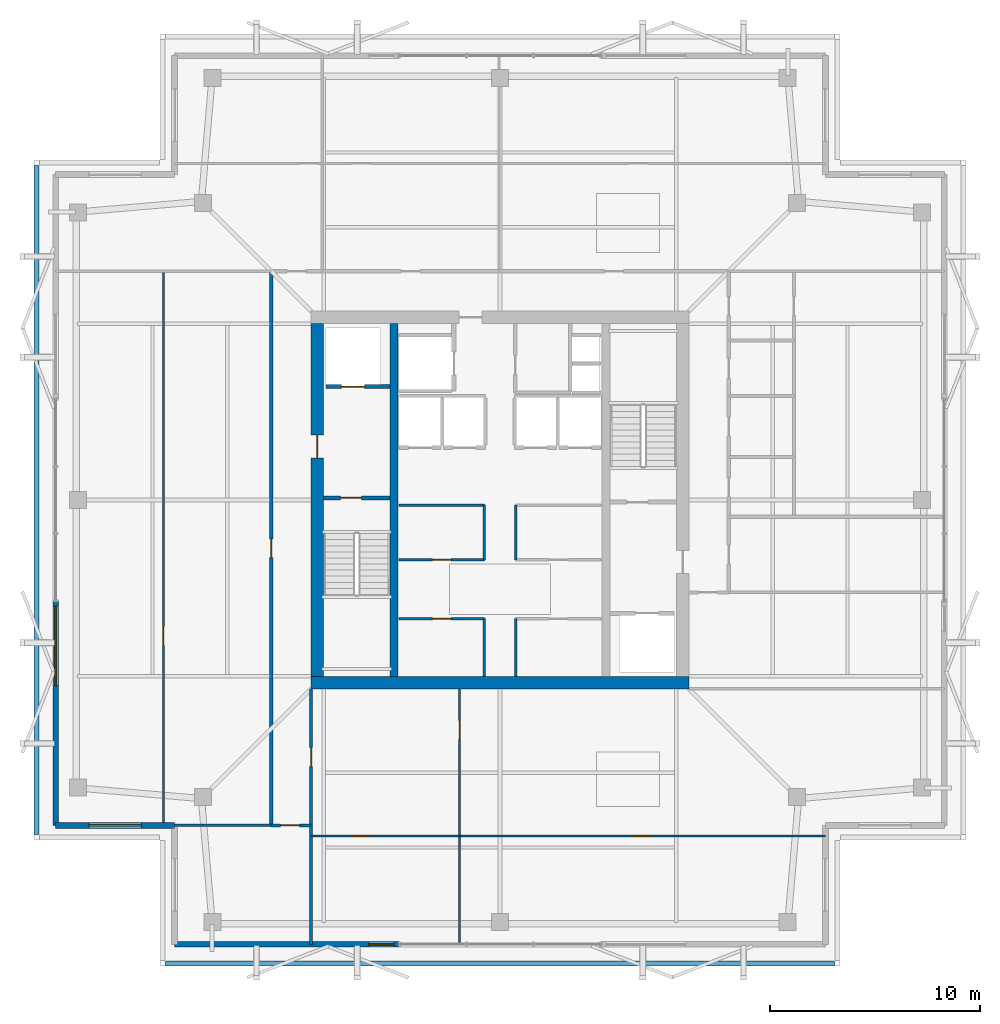
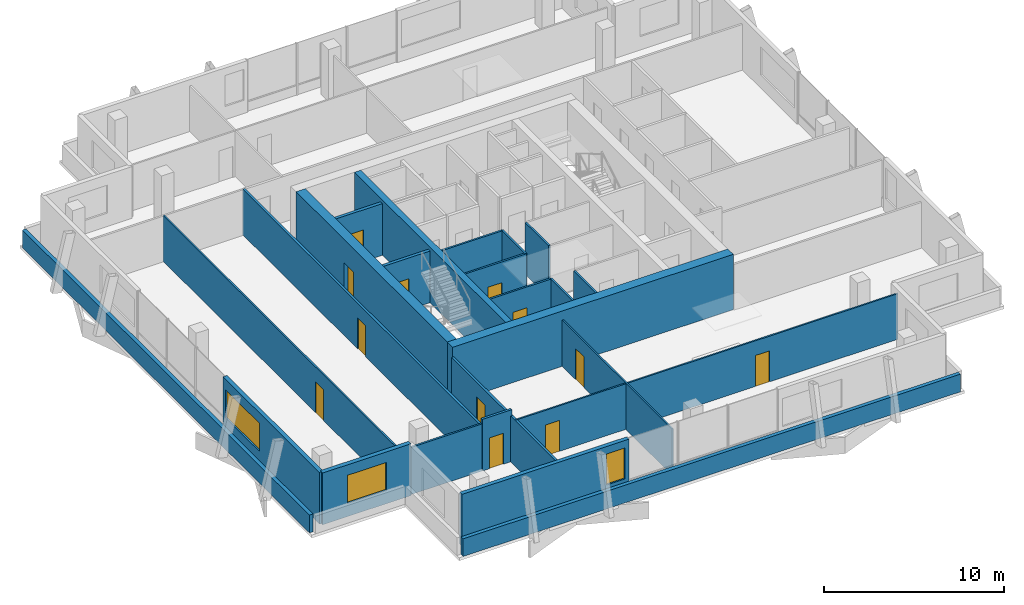
# One storey, part 14 of 18: 25 walls, 12 doors, 3 windows, 15 openings.
"""IFC4 building model written with IfcOpenShell, lengths in metres."""

from ifc_helpers import new_model, si_unit, direction, frame, frame_2d, origin, place, context, subcontext, project, spatial, rectangle, extrude, material, layer, layer_set, type_object, element, fill, save


model = new_model("IFC4")

# Units and contexts
model_context = context("Model", 3, precision=1e-05, world=origin(), true_north=direction((0.0, 1.0)))
body_context = subcontext(model_context, "Body", "Model", "MODEL_VIEW")
ifc_project = project(units=[si_unit("LENGTHUNIT", "METRE"), si_unit("AREAUNIT", "SQUARE_METRE"), si_unit("VOLUMEUNIT", "CUBIC_METRE"), si_unit("PLANEANGLEUNIT", "RADIAN"), si_unit("MASSUNIT", "GRAM", prefix="KILO")], contexts=[model_context])

# Site, building, storey
site_placement = place(None, origin())
site = spatial("IfcSite", under=ifc_project, at=site_placement, CompositionType="ELEMENT")
building_placement = place(site_placement, origin())
building = spatial("IfcBuilding", under=site, at=building_placement, Name="Belovzor Exchange Tower", CompositionType="ELEMENT")
storey_placement = place(building_placement, frame((0.0, 0.0, 344.25)))
storey = spatial("IfcBuildingStorey", under=building, at=storey_placement, Name="L86", CompositionType="ELEMENT", Elevation=344.25)

# Wall
ifc_material_1 = material(Name="Acoustic Plasterboard on Galvanised Studs", Category="gypsum")
ifc_layer_1 = layer(ifc_material_1, 0.1201171875)
ifc_layer_set_1 = layer_set([ifc_layer_1], Name="Acoustic Plasterboard on Galvanised Studs")
wall_type_1 = type_object("IfcWallType", Name="Acoustic Double-Stud Partition Wall 120", PredefinedType="PARTITIONING", material=ifc_layer_set_1)
wall_1_placement = place(storey_placement, frame((13.300048828125, 13.300048828125, 0.0), z_axis=(0.0, 0.0, 1.0), x_axis=(1.0, 0.0, 0.0)))
element("IfcWall", 1, at=wall_1_placement, inside=storey, type_object=wall_type_1, Name="W-P120 Partition Wall W-L86-SWS", PredefinedType="PARTITIONING", context=body_context, shape_type="SweptSolid", body=[
    extrude(rectangle(XDim=4.599853515625, YDim=0.1201171875, at=frame_2d((2.2998046875, 0.0))), origin(), (0.0, 0.0, 1.0), 3.195068359375),
])

# Wall, opening, door
ifc_material_2 = material(Name="Acoustic Laminated Glass and Aluminium", Category="aluminium")
ifc_layer_2 = layer(ifc_material_2, 0.10009765625)
ifc_layer_set_2 = layer_set([ifc_layer_2], Name="Acoustic Laminated Glass and Aluminium")
wall_type_2 = type_object("IfcWallType", Name="Demountable Executive Glass Partition 100", PredefinedType="MOVABLE", material=ifc_layer_set_2)
wall_2_placement = place(storey_placement, frame((12.764892578125, 13.300048828125, 0.0), z_axis=(0.0, 0.0, 1.0), x_axis=(0.0, 1.0, 0.0)))
wall_2 = element("IfcWall", 2, at=wall_2_placement, inside=storey, type_object=wall_type_2, Name="W-M100 Partition Wall W-L86-WHDIV-0", PredefinedType="MOVABLE", context=body_context, shape_type="SweptSolid", body=[
    extrude(rectangle(XDim=26.39990234375, YDim=0.10009765625, at=frame_2d((13.199951171875, 0.0))), origin(), (0.0, 0.0, 1.0), 3.094970703125),
])
opening_1_placement = place(wall_2_placement, frame((8.56689453125, 0.0, 0.0)))
opening_1 = element("IfcOpeningElement", 3, at=opening_1_placement, cuts=wall_2, Name="Opening D-INT-090", PredefinedType="OPENING", context=body_context, shape_type="SweptSolid", body=[
    extrude(rectangle(XDim=0.89990234375, YDim=2.10009765625, at=frame_2d((0.449951171875, 1.050048828125))), frame((0.0, 0.06005859375, 0.0), z_axis=(0.0, -1.0, 0.0), x_axis=(1.0, 0.0, 0.0)), (0.0, 0.0, 1.0), 0.1201171875),
])
ifc_material_3 = material(Name="Veneered Hardwood Acoustic Leaf", Category="wood")
door_type_1 = type_object("IfcDoorType", Name="Trading Suite Acoustic Single Door 900x2100", OperationType="NOTDEFINED", PredefinedType="DOOR", material=ifc_material_3)
door_1_placement = place(opening_1_placement, origin())
door_1 = element("IfcDoor", 4, at=door_1_placement, inside=storey, type_object=door_type_1, Name="D-INT-090 Trading Suite Acoustic Single Door 900x2100", OperationType="SINGLE_SWING_LEFT", OverallHeight=2.10009765625, OverallWidth=0.89990234375, PredefinedType="DOOR", context=body_context, shape_type="SweptSolid", body=[
    extrude(rectangle(XDim=0.89990234375, YDim=2.10009765625, at=frame_2d((0.449951171875, 1.050048828125))), frame((0.0, 0.02490234375, 0.0), z_axis=(0.0, -1.0, 0.0), x_axis=(1.0, 0.0, 0.0)), (0.0, 0.0, 1.0), 0.050048828125),
])
fill(opening_1, door_1)

wall_3_placement = place(storey_placement, frame((19.800048828125, 12.7939453125, 0.0), z_axis=(0.0, 0.0, 1.0), x_axis=(1.0, 0.0, 0.0)))
wall_3 = element("IfcWall", 5, at=wall_3_placement, inside=storey, type_object=wall_type_2, Name="W-M100 Partition Wall W-L86-SHDIV-0", PredefinedType="MOVABLE", context=body_context, shape_type="SweptSolid", body=[
    extrude(rectangle(XDim=7.075927734375, YDim=0.10009765625, at=frame_2d((3.5380859375, 0.0))), origin(), (0.0, 0.0, 1.0), 3.094970703125),
])
opening_2_placement = place(wall_3_placement, frame((1.885009765625, 0.0, 0.0)))
opening_2 = element("IfcOpeningElement", 6, at=opening_2_placement, cuts=wall_3, Name="Opening D-INT-090", PredefinedType="OPENING", context=body_context, shape_type="SweptSolid", body=[
    extrude(rectangle(XDim=0.89990234375, YDim=2.10009765625, at=frame_2d((0.449951171875, 1.050048828125))), frame((0.0, 0.06005859375, 0.0), z_axis=(0.0, -1.0, 0.0), x_axis=(1.0, 0.0, 0.0)), (0.0, 0.0, 1.0), 0.1201171875),
])
door_2_placement = place(opening_2_placement, origin())
door_2 = element("IfcDoor", 7, at=door_2_placement, inside=storey, type_object=door_type_1, Name="D-INT-090 Trading Suite Acoustic Single Door 900x2100", OperationType="SINGLE_SWING_LEFT", OverallHeight=2.10009765625, OverallWidth=0.89990234375, PredefinedType="DOOR", context=body_context, shape_type="SweptSolid", body=[
    extrude(rectangle(XDim=0.89990234375, YDim=2.10009765625, at=frame_2d((0.449951171875, 1.050048828125))), frame((0.0, 0.02490234375, 0.0), z_axis=(0.0, -1.0, 0.0), x_axis=(1.0, 0.0, 0.0)), (0.0, 0.0, 1.0), 0.050048828125),
])
fill(opening_2, door_2)

wall_4_placement = place(storey_placement, frame((26.8759765625, 7.6298828125, 0.0), z_axis=(0.0, 0.0, 1.0), x_axis=(0.0, 1.0, 0.0)))
wall_4 = element("IfcWall", 8, at=wall_4_placement, inside=storey, type_object=wall_type_2, Name="W-M100 Partition Wall W-L86-SDIV-1", PredefinedType="MOVABLE", context=body_context, shape_type="SweptSolid", body=[
    extrude(rectangle(XDim=12.170166015625, YDim=0.10009765625, at=frame_2d((6.0849609375, 0.0))), origin(), (0.0, 0.0, 1.0), 3.135009765625),
])
opening_3_placement = place(wall_4_placement, frame((9.77001953125, 0.0, 0.0)))
opening_3 = element("IfcOpeningElement", 9, at=opening_3_placement, cuts=wall_4, Name="Opening D-INT-090", PredefinedType="OPENING", context=body_context, shape_type="SweptSolid", body=[
    extrude(rectangle(XDim=0.89990234375, YDim=2.10009765625, at=frame_2d((0.449951171875, 1.050048828125))), frame((0.0, 0.06005859375, 0.0), z_axis=(0.0, -1.0, 0.0), x_axis=(1.0, 0.0, 0.0)), (0.0, 0.0, 1.0), 0.1201171875),
])
door_3_placement = place(opening_3_placement, origin())
door_3 = element("IfcDoor", 10, at=door_3_placement, inside=storey, type_object=door_type_1, Name="D-INT-090 Trading Suite Acoustic Single Door 900x2100", OperationType="SINGLE_SWING_LEFT", OverallHeight=2.10009765625, OverallWidth=0.89990234375, PredefinedType="DOOR", context=body_context, shape_type="SweptSolid", body=[
    extrude(rectangle(XDim=0.89990234375, YDim=2.10009765625, at=frame_2d((0.449951171875, 1.050048828125))), frame((0.0, 0.02490234375, 0.0), z_axis=(0.0, -1.0, 0.0), x_axis=(1.0, 0.0, 0.0)), (0.0, 0.0, 1.0), 0.050048828125),
])
fill(opening_3, door_3)

wall_5_placement = place(storey_placement, frame((26.8759765625, 12.7939453125, 0.0), z_axis=(0.0, 0.0, 1.0), x_axis=(1.0, 0.0, 0.0)))
wall_5 = element("IfcWall", 11, at=wall_5_placement, inside=storey, type_object=wall_type_2, Name="W-M100 Partition Wall W-L86-SHDIV-1", PredefinedType="MOVABLE", context=body_context, shape_type="SweptSolid", body=[
    extrude(rectangle(XDim=17.424072265625, YDim=0.10009765625, at=frame_2d((8.7119140625, 0.0))), origin(), (0.0, 0.0, 1.0), 3.094970703125),
])
opening_4_placement = place(wall_5_placement, frame((8.261962890625, 0.0, 0.0)))
opening_4 = element("IfcOpeningElement", 12, at=opening_4_placement, cuts=wall_5, Name="Opening D-INT-090", PredefinedType="OPENING", context=body_context, shape_type="SweptSolid", body=[
    extrude(rectangle(XDim=0.89990234375, YDim=2.10009765625, at=frame_2d((0.449951171875, 1.050048828125))), frame((0.0, 0.06005859375, 0.0), z_axis=(0.0, -1.0, 0.0), x_axis=(1.0, 0.0, 0.0)), (0.0, 0.0, 1.0), 0.1201171875),
])
door_4_placement = place(opening_4_placement, origin())
door_4 = element("IfcDoor", 13, at=door_4_placement, inside=storey, type_object=door_type_1, Name="D-INT-090 Trading Suite Acoustic Single Door 900x2100", OperationType="SINGLE_SWING_LEFT", OverallHeight=2.10009765625, OverallWidth=0.89990234375, PredefinedType="DOOR", context=body_context, shape_type="SweptSolid", body=[
    extrude(rectangle(XDim=0.89990234375, YDim=2.10009765625, at=frame_2d((0.449951171875, 1.050048828125))), frame((0.0, 0.02490234375, 0.0), z_axis=(0.0, -1.0, 0.0), x_axis=(1.0, 0.0, 0.0)), (0.0, 0.0, 1.0), 0.050048828125),
])
fill(opening_4, door_4)

ifc_material_4 = material(Name="Fire-Rated Plasterboard on Galvanised Studs", Category="gypsum")
ifc_layer_3 = layer(ifc_material_4, 0.1201171875)
ifc_layer_set_3 = layer_set([ifc_layer_3], Name="Fire-Rated Plasterboard on Galvanised Studs")
wall_type_3 = type_object("IfcWallType", Name="Fire-Rated Double-Stud Partition Wall 120", PredefinedType="PARTITIONING", material=ifc_layer_set_3)
wall_6_placement = place(storey_placement, frame((24.0, 23.14990234375, 0.0), z_axis=(0.0, 0.0, 1.0), x_axis=(1.0, 0.0, 0.0)))
wall_6 = element("IfcWall", 14, at=wall_6_placement, inside=storey, type_object=wall_type_3, Name="W-P120F Partition Wall W-CRL-L86-WN", PredefinedType="PARTITIONING", context=body_context, shape_type="SweptSolid", body=[
    extrude(rectangle(XDim=4.050048828125, YDim=0.1201171875, at=frame_2d((2.02490234375, 0.0))), origin(), (0.0, 0.0, 1.0), 3.510009765625),
])
opening_5_placement = place(wall_6_placement, frame((1.574951171875, 0.0, 0.0)))
opening_5 = element("IfcOpeningElement", 15, at=opening_5_placement, cuts=wall_6, Name="Opening D-FD60-090", PredefinedType="OPENING", context=body_context, shape_type="SweptSolid", body=[
    extrude(rectangle(XDim=0.89990234375, YDim=2.10009765625, at=frame_2d((0.449951171875, 1.050048828125))), frame((0.0, 0.070068359375, 0.0), z_axis=(0.0, -1.0, 0.0), x_axis=(1.0, 0.0, 0.0)), (0.0, 0.0, 1.0), 0.14013671875),
])
ifc_material_5 = material(Name="Acoustic Timber Fire Leaf", Category="wood")
door_type_2 = type_object("IfcDoorType", Name="Core Service & Restroom Fire Door 900x2100", OperationType="NOTDEFINED", PredefinedType="DOOR", material=ifc_material_5)
door_5_placement = place(opening_5_placement, origin())
door_5 = element("IfcDoor", 16, at=door_5_placement, inside=storey, type_object=door_type_2, Name="D-FD60-090 Core Service & Restroom Fire Door 900x2100", OperationType="SINGLE_SWING_LEFT", OverallHeight=2.10009765625, OverallWidth=0.89990234375, PredefinedType="DOOR", context=body_context, shape_type="SweptSolid", body=[
    extrude(rectangle(XDim=0.89990234375, YDim=2.10009765625, at=frame_2d((0.449951171875, 1.050048828125))), frame((0.0, 0.02490234375, 0.0), z_axis=(0.0, -1.0, 0.0), x_axis=(1.0, 0.0, 0.0)), (0.0, 0.0, 1.0), 0.050048828125),
])
fill(opening_5, door_5)

# Walls
for number, where, z_axis, x_axis, name in (
    (17, (28.050048828125, 20.39990234375, 0.0), (0.0, 0.0, 1.0), (0.0, 1.0, 0.0), "W-P120F Partition Wall W-CRL-L86-WE"),
    (18, (29.550048828125, 20.39990234375, 0.0), (0.0, 0.0, 1.0), (0.0, 1.0, 0.0), "W-P120F Partition Wall W-CRL-L86-EW"),
):
    element("IfcWall", number, at=place(storey_placement, frame(where, z_axis=z_axis, x_axis=x_axis)), inside=storey, type_object=wall_type_3, Name=name, PredefinedType="PARTITIONING", context=body_context, shape_type="SweptSolid", body=[
        extrude(rectangle(XDim=2.75, YDim=0.1201171875, at=frame_2d((1.375, 0.0))), origin(), (0.0, 0.0, 1.0), 3.510009765625),
    ])

# Wall, opening, door
wall_7_placement = place(storey_placement, frame((24.0, 25.949951171875, 0.0), z_axis=(0.0, 0.0, 1.0), x_axis=(1.0, 0.0, 0.0)))
wall_7 = element("IfcWall", 19, at=wall_7_placement, inside=storey, type_object=wall_type_3, Name="W-P120F Partition Wall W-CRM-L86-WS", PredefinedType="PARTITIONING", context=body_context, shape_type="SweptSolid", body=[
    extrude(rectangle(XDim=4.050048828125, YDim=0.1201171875, at=frame_2d((2.02490234375, 0.0))), origin(), (0.0, 0.0, 1.0), 3.510009765625),
])
opening_6_placement = place(wall_7_placement, frame((1.574951171875, 0.0, 0.0)))
opening_6 = element("IfcOpeningElement", 20, at=opening_6_placement, cuts=wall_7, Name="Opening D-FD60-090", PredefinedType="OPENING", context=body_context, shape_type="SweptSolid", body=[
    extrude(rectangle(XDim=0.89990234375, YDim=2.10009765625, at=frame_2d((0.449951171875, 1.050048828125))), frame((0.0, 0.070068359375, 0.0), z_axis=(0.0, -1.0, 0.0), x_axis=(1.0, 0.0, 0.0)), (0.0, 0.0, 1.0), 0.14013671875),
])
door_6_placement = place(opening_6_placement, origin())
door_6 = element("IfcDoor", 21, at=door_6_placement, inside=storey, type_object=door_type_2, Name="D-FD60-090 Core Service & Restroom Fire Door 900x2100", OperationType="SINGLE_SWING_LEFT", OverallHeight=2.10009765625, OverallWidth=0.89990234375, PredefinedType="DOOR", context=body_context, shape_type="SweptSolid", body=[
    extrude(rectangle(XDim=0.89990234375, YDim=2.10009765625, at=frame_2d((0.449951171875, 1.050048828125))), frame((0.0, 0.02490234375, 0.0), z_axis=(0.0, -1.0, 0.0), x_axis=(1.0, 0.0, 0.0)), (0.0, 0.0, 1.0), 0.050048828125),
])
fill(opening_6, door_6)

# Walls
wall_8_placement = place(storey_placement, frame((24.0, 28.550048828125, 0.0), z_axis=(0.0, 0.0, 1.0), x_axis=(1.0, 0.0, 0.0)))
element("IfcWall", 22, at=wall_8_placement, inside=storey, type_object=wall_type_3, Name="W-P120F Partition Wall W-CRM-L86-WN", PredefinedType="PARTITIONING", context=body_context, shape_type="SweptSolid", body=[
    extrude(rectangle(XDim=4.050048828125, YDim=0.1201171875, at=frame_2d((2.02490234375, 0.0))), origin(), (0.0, 0.0, 1.0), 3.510009765625),
])
for number, where, z_axis, x_axis, name in (
    (23, (28.050048828125, 25.949951171875, 0.0), (0.0, 0.0, 1.0), (0.0, 1.0, 0.0), "W-P120F Partition Wall W-CRM-L86-WE"),
    (24, (29.550048828125, 25.949951171875, 0.0), (0.0, 0.0, 1.0), (0.0, 1.0, 0.0), "W-P120F Partition Wall W-CRM-L86-EW"),
):
    element("IfcWall", number, at=place(storey_placement, frame(where, z_axis=z_axis, x_axis=x_axis)), inside=storey, type_object=wall_type_3, Name=name, PredefinedType="PARTITIONING", context=body_context, shape_type="SweptSolid", body=[
        extrude(rectangle(XDim=2.60009765625, YDim=0.1201171875, at=frame_2d((1.300048828125, 0.0))), origin(), (0.0, 0.0, 1.0), 3.510009765625),
    ])

# Wall, opening, door
ifc_material_6 = material(Name="Fire-Rated Gypsum Block and Mineral Wool", Category="gypsum")
ifc_layer_4 = layer(ifc_material_6, 0.14990234375)
ifc_layer_set_4 = layer_set([ifc_layer_4], Name="Fire-Rated Gypsum Block and Mineral Wool")
wall_type_4 = type_object("IfcWallType", Name="Fire-Rated Gypsum Block Corridor Wall 150", PredefinedType="PARTITIONING", material=ifc_layer_set_4)
wall_9_placement = place(storey_placement, frame((17.89990234375, 13.300048828125, 0.0), z_axis=(0.0, 0.0, 1.0), x_axis=(1.0, 0.0, 0.0)))
wall_9 = element("IfcWall", 25, at=wall_9_placement, inside=storey, type_object=wall_type_4, Name="W-P150 Partition Wall W-L86-CW-END", PredefinedType="PARTITIONING", context=body_context, shape_type="SweptSolid", body=[
    extrude(rectangle(XDim=1.900146484375, YDim=0.14990234375, at=frame_2d((0.9501953125, 0.0))), origin(), (0.0, 0.0, 1.0), 3.510009765625),
])
opening_7_placement = place(wall_9_placement, frame((0.449951171875, 0.0, 0.0)))
opening_7 = element("IfcOpeningElement", 26, at=opening_7_placement, cuts=wall_9, Name="Opening D-FD60-090", PredefinedType="OPENING", context=body_context, shape_type="SweptSolid", body=[
    extrude(rectangle(XDim=0.89990234375, YDim=2.10009765625, at=frame_2d((0.449951171875, 1.050048828125))), frame((0.0, 0.0849609375, 0.0), z_axis=(0.0, -1.0, 0.0), x_axis=(1.0, 0.0, 0.0)), (0.0, 0.0, 1.0), 0.169921875),
])
door_7_placement = place(opening_7_placement, origin())
door_7 = element("IfcDoor", 27, at=door_7_placement, inside=storey, type_object=door_type_2, Name="D-FD60-090 Core Service & Restroom Fire Door 900x2100", OperationType="SINGLE_SWING_LEFT", OverallHeight=2.10009765625, OverallWidth=0.89990234375, PredefinedType="DOOR", context=body_context, shape_type="SweptSolid", body=[
    extrude(rectangle(XDim=0.89990234375, YDim=2.10009765625, at=frame_2d((0.449951171875, 1.050048828125))), frame((0.0, 0.02490234375, 0.0), z_axis=(0.0, -1.0, 0.0), x_axis=(1.0, 0.0, 0.0)), (0.0, 0.0, 1.0), 0.050048828125),
])
fill(opening_7, door_7)

wall_10_placement = place(storey_placement, frame((19.800048828125, 7.6298828125, 0.0), z_axis=(0.0, 0.0, 1.0), x_axis=(0.0, 1.0, 0.0)))
wall_10 = element("IfcWall", 28, at=wall_10_placement, inside=storey, type_object=wall_type_4, Name="W-P150 Partition Wall W-L86-CW-E", PredefinedType="PARTITIONING", context=body_context, shape_type="SweptSolid", body=[
    extrude(rectangle(XDim=12.170166015625, YDim=0.14990234375, at=frame_2d((6.0849609375, 0.0))), origin(), (0.0, 0.0, 1.0), 3.094970703125),
])
opening_8_placement = place(wall_10_placement, frame((8.469970703125, 0.0, 0.0)))
opening_8 = element("IfcOpeningElement", 29, at=opening_8_placement, cuts=wall_10, Name="Opening D-FD60-090", PredefinedType="OPENING", context=body_context, shape_type="SweptSolid", body=[
    extrude(rectangle(XDim=0.89990234375, YDim=2.10009765625, at=frame_2d((0.449951171875, 1.050048828125))), frame((0.0, 0.0849609375, 0.0), z_axis=(0.0, -1.0, 0.0), x_axis=(1.0, 0.0, 0.0)), (0.0, 0.0, 1.0), 0.169921875),
])
door_8_placement = place(opening_8_placement, origin())
door_8 = element("IfcDoor", 30, at=door_8_placement, inside=storey, type_object=door_type_2, Name="D-FD60-090 Core Service & Restroom Fire Door 900x2100", OperationType="SINGLE_SWING_RIGHT", OverallHeight=2.10009765625, OverallWidth=0.89990234375, PredefinedType="DOOR", context=body_context, shape_type="SweptSolid", body=[
    extrude(rectangle(XDim=0.89990234375, YDim=2.10009765625, at=frame_2d((0.449951171875, 1.050048828125))), frame((0.0, 0.02490234375, 0.0), z_axis=(0.0, -1.0, 0.0), x_axis=(1.0, 0.0, 0.0)), (0.0, 0.0, 1.0), 0.050048828125),
])
fill(opening_8, door_8)

wall_11_placement = place(storey_placement, frame((17.89990234375, 13.300048828125, 0.0), z_axis=(0.0, 0.0, 1.0), x_axis=(0.0, 1.0, 0.0)))
wall_11 = element("IfcWall", 31, at=wall_11_placement, inside=storey, type_object=wall_type_4, Name="W-P150 Partition Wall W-L86-CW", PredefinedType="PARTITIONING", context=body_context, shape_type="SweptSolid", body=[
    extrude(rectangle(XDim=26.39990234375, YDim=0.14990234375, at=frame_2d((13.199951171875, 0.0))), origin(), (0.0, 0.0, 1.0), 3.094970703125),
])
opening_9_placement = place(wall_11_placement, frame((12.75, 0.0, 0.0)))
opening_9 = element("IfcOpeningElement", 32, at=opening_9_placement, cuts=wall_11, Name="Opening D-INT-090", PredefinedType="OPENING", context=body_context, shape_type="SweptSolid", body=[
    extrude(rectangle(XDim=0.89990234375, YDim=2.10009765625, at=frame_2d((0.449951171875, 1.050048828125))), frame((0.0, 0.0849609375, 0.0), z_axis=(0.0, -1.0, 0.0), x_axis=(1.0, 0.0, 0.0)), (0.0, 0.0, 1.0), 0.169921875),
])
door_9_placement = place(opening_9_placement, origin())
door_9 = element("IfcDoor", 33, at=door_9_placement, inside=storey, type_object=door_type_1, Name="D-INT-090 Trading Suite Acoustic Single Door 900x2100", OperationType="SINGLE_SWING_RIGHT", OverallHeight=2.10009765625, OverallWidth=0.89990234375, PredefinedType="DOOR", context=body_context, shape_type="SweptSolid", body=[
    extrude(rectangle(XDim=0.89990234375, YDim=2.10009765625, at=frame_2d((0.449951171875, 1.050048828125))), frame((0.0, 0.02490234375, 0.0), z_axis=(0.0, -1.0, 0.0), x_axis=(1.0, 0.0, 0.0)), (0.0, 0.0, 1.0), 0.050048828125),
])
fill(opening_9, door_9)

# Wall, opening, window
ifc_material_7 = material(Name="Precast concrete C40/50", Category="concrete")
ifc_layer_5 = layer(ifc_material_7, 0.280029296875)
ifc_layer_set_5 = layer_set([ifc_layer_5], Name="Precast concrete C40/50")
wall_type_5 = type_object("IfcWallType", Name="Precast Concrete Notched Corner Frame Wall 280", PredefinedType="SOLIDWALL", material=ifc_layer_set_5)
wall_12_placement = place(storey_placement, frame((13.300048828125, 13.300048828125, 0.0), z_axis=(0.0, 0.0, 1.0), x_axis=(-1.0, 0.0, 0.0)))
wall_12 = element("IfcWall", 34, at=wall_12_placement, inside=storey, type_object=wall_type_5, Name="W-CRN280 Precast Concrete Notched Corner Frame Wall 280 L86", PredefinedType="SOLIDWALL", context=body_context, shape_type="SweptSolid", body=[
    extrude(rectangle(XDim=5.670166015625, YDim=0.280029296875, at=frame_2d((2.8349609375, 0.0))), origin(), (0.0, 0.0, 1.0), 3.510009765625),
])
opening_10_placement = place(wall_12_placement, frame((1.5849609375, 0.0, 0.89990234375)))
opening_10 = element("IfcOpeningElement", 35, at=opening_10_placement, cuts=wall_12, Name="Opening WN-CRN250", PredefinedType="OPENING", context=body_context, shape_type="SweptSolid", body=[
    extrude(rectangle(XDim=2.5, YDim=1.89990234375, at=frame_2d((1.25, 0.949951171875))), frame((0.0, 0.14990234375, 0.0), z_axis=(0.0, -1.0, 0.0), x_axis=(1.0, 0.0, 0.0)), (0.0, 0.0, 1.0), 0.300048828125),
])
ifc_material_8 = material(Name="Thermally Broken Aluminium and Triple Glazing", Category="aluminium")
window_type_1 = type_object("IfcWindowType", Name="Streamline Moderne Corner Wrap Ribbon Window 2500x1900", PartitioningType="SINGLE_PANEL", PredefinedType="WINDOW", material=ifc_material_8)
window_1_placement = place(opening_10_placement, origin())
window_1 = element("IfcWindow", 36, at=window_1_placement, inside=storey, type_object=window_type_1, Name="WN-CRN250 Streamline Moderne Corner Wrap Ribbon Window 2500x1900", OverallHeight=1.89990234375, OverallWidth=2.5, PartitioningType="SINGLE_PANEL", PredefinedType="WINDOW", context=body_context, shape_type="SweptSolid", body=[
    extrude(rectangle(XDim=2.5, YDim=1.89990234375, at=frame_2d((1.25, 0.949951171875))), frame((0.0, 0.030029296875, 0.0), z_axis=(0.0, -1.0, 0.0), x_axis=(1.0, 0.0, 0.0)), (0.0, 0.0, 1.0), 0.06005859375),
])
fill(opening_10, window_1)

ifc_material_9 = material(Name="Precast concrete C40/50", Category="concrete")
ifc_layer_6 = layer(ifc_material_9, 0.260009765625)
ifc_layer_set_6 = layer_set([ifc_layer_6], Name="Precast concrete C40/50")
wall_type_6 = type_object("IfcWallType", Name="Precast Concrete Perimeter Loggia Frame Wall 260", PredefinedType="SOLIDWALL", material=ifc_layer_set_6)
wall_13_placement = place(storey_placement, frame((24.0, 7.6298828125, 0.0), z_axis=(0.0, 0.0, 1.0), x_axis=(-1.0, 0.0, 0.0)))
wall_13 = element("IfcWall", 37, at=wall_13_placement, inside=storey, type_object=wall_type_6, Name="W-EXT260 Precast Concrete Perimeter Loggia Frame Wall 260 L86", PredefinedType="SOLIDWALL", context=body_context, shape_type="SweptSolid", body=[
    extrude(rectangle(XDim=10.699951171875, YDim=0.260009765625, at=frame_2d((5.35009765625, 0.0))), origin(), (0.0, 0.0, 1.0), 3.510009765625),
])
opening_11_placement = place(wall_13_placement, frame((0.25, 0.0, 0.89990234375)))
opening_11 = element("IfcOpeningElement", 38, at=opening_11_placement, cuts=wall_13, Name="Opening WN-CRN120", PredefinedType="OPENING", context=body_context, shape_type="SweptSolid", body=[
    extrude(rectangle(XDim=1.199951171875, YDim=2.10009765625, at=frame_2d((0.60009765625, 1.050048828125))), frame((0.0, 0.139892578125, 0.0), z_axis=(0.0, -1.0, 0.0), x_axis=(1.0, 0.0, 0.0)), (0.0, 0.0, 1.0), 0.280029296875),
])
ifc_material_10 = material(Name="Thermally Broken Aluminium and Triple Glazing", Category="aluminium")
window_type_2 = type_object("IfcWindowType", Name="Streamline Notched Corner Window 1200x2100", PartitioningType="SINGLE_PANEL", PredefinedType="WINDOW", material=ifc_material_10)
window_2_placement = place(opening_11_placement, origin())
window_2 = element("IfcWindow", 39, at=window_2_placement, inside=storey, type_object=window_type_2, Name="WN-CRN120 Streamline Notched Corner Window 1200x2100", OverallHeight=2.10009765625, OverallWidth=1.199951171875, PartitioningType="SINGLE_PANEL", PredefinedType="WINDOW", context=body_context, shape_type="SweptSolid", body=[
    extrude(rectangle(XDim=1.199951171875, YDim=2.10009765625, at=frame_2d((0.60009765625, 1.050048828125))), frame((0.0, 0.030029296875, 0.0), z_axis=(0.0, -1.0, 0.0), x_axis=(1.0, 0.0, 0.0)), (0.0, 0.0, 1.0), 0.06005859375),
])
fill(opening_11, window_2)

wall_14_placement = place(storey_placement, frame((7.6298828125, 13.300048828125, 0.0), z_axis=(0.0, 0.0, 1.0), x_axis=(0.0, 1.0, 0.0)))
wall_14 = element("IfcWall", 40, at=wall_14_placement, inside=storey, type_object=wall_type_6, Name="W-EXT260 Precast Concrete Perimeter Loggia Frame Wall 260 L86", PredefinedType="SOLIDWALL", context=body_context, shape_type="SweptSolid", body=[
    extrude(rectangle(XDim=10.699951171875, YDim=0.260009765625, at=frame_2d((5.35009765625, 0.0))), origin(), (0.0, 0.0, 1.0), 3.510009765625),
])
opening_12_placement = place(wall_14_placement, frame((6.64990234375, 0.0, 0.89990234375)))
opening_12 = element("IfcOpeningElement", 41, at=opening_12_placement, cuts=wall_14, Name="Opening WN-RIB380", PredefinedType="OPENING", context=body_context, shape_type="SweptSolid", body=[
    extrude(rectangle(XDim=3.800048828125, YDim=1.89990234375, at=frame_2d((1.89990234375, 0.949951171875))), frame((0.0, 0.139892578125, 0.0), z_axis=(0.0, -1.0, 0.0), x_axis=(1.0, 0.0, 0.0)), (0.0, 0.0, 1.0), 0.280029296875),
])
ifc_material_11 = material(Name="Thermally Broken Aluminium and Triple Glazing", Category="aluminium")
window_type_3 = type_object("IfcWindowType", Name="Streamline Moderne Horizontal Ribbon Window 3800x1900", PartitioningType="SINGLE_PANEL", PredefinedType="WINDOW", material=ifc_material_11)
window_3_placement = place(opening_12_placement, origin())
window_3 = element("IfcWindow", 42, at=window_3_placement, inside=storey, type_object=window_type_3, Name="WN-RIB380 Streamline Moderne Horizontal Ribbon Window 3800x1900", OverallHeight=1.89990234375, OverallWidth=3.800048828125, PartitioningType="SINGLE_PANEL", PredefinedType="WINDOW", context=body_context, shape_type="SweptSolid", body=[
    extrude(rectangle(XDim=3.800048828125, YDim=1.89990234375, at=frame_2d((1.89990234375, 0.949951171875))), frame((0.0, 0.030029296875, 0.0), z_axis=(0.0, -1.0, 0.0), x_axis=(1.0, 0.0, 0.0)), (0.0, 0.0, 1.0), 0.06005859375),
])
fill(opening_12, window_3)

# Walls
ifc_material_12 = material(Name="Precast concrete C40/50", Category="concrete")
ifc_layer_7 = layer(ifc_material_12, 0.239990234375)
ifc_layer_set_7 = layer_set([ifc_layer_7], Name="Precast concrete C40/50")
wall_type_7 = type_object("IfcWallType", Name="Precast Stone Setback Roof Parapet Wall 240", PredefinedType="PARAPET", material=ifc_layer_set_7)
for number, where, z_axis, x_axis, name in (
    (43, (12.85498046875, 6.719970703125, 0.0), (0.0, 0.0, 1.0), (1.0, 0.0, 0.0), "W-PAR240 Precast Stone Setback Roof Parapet Wall 240 L86"),
    (44, (6.719970703125, 44.7451171875, 0.0), (0.0, 0.0, 1.0), (0.0, -1.0, 0.0), "W-PAR240 Precast Stone Setback Roof Parapet Wall 240 L86"),
):
    element("IfcWall", number, at=place(storey_placement, frame(where, z_axis=z_axis, x_axis=x_axis)), inside=storey, type_object=wall_type_7, Name=name, PredefinedType="PARAPET", context=body_context, shape_type="SweptSolid", body=[
        extrude(rectangle(XDim=31.89013671875, YDim=0.239990234375, at=frame_2d((15.945068359375, 0.0))), origin(), (0.0, 0.0, 1.0), 1.199951171875),
    ])
ifc_material_13 = material(Name="Concrete C50/60", Category="concrete")
ifc_layer_8 = layer(ifc_material_13, 0.39990234375)
ifc_layer_set_8 = layer_set([ifc_layer_8], Name="Concrete C50/60")
wall_type_8 = type_object("IfcWallType", Name="Reinforced Concrete Core Internal Web Wall 400", PredefinedType="SHEAR", material=ifc_layer_set_8)
wall_15_placement = place(storey_placement, frame((23.75, 20.39990234375, 0.0), z_axis=(0.0, 0.0, 1.0), x_axis=(0.0, 1.0, 0.0)))
element("IfcWall", 45, at=wall_15_placement, inside=storey, type_object=wall_type_8, Name="CW-W040 Core Internal Web Wall L86 WL", PredefinedType="SHEAR", context=body_context, shape_type="SweptSolid", body=[
    extrude(rectangle(XDim=16.800048828125, YDim=0.39990234375, at=frame_2d((8.39990234375, 0.0))), origin(), (0.0, 0.0, 1.0), 3.75),
])

# Wall, opening, door
ifc_material_14 = material(Name="Concrete C50/60", Category="concrete")
ifc_layer_9 = layer(ifc_material_14, 0.199951171875)
ifc_layer_set_9 = layer_set([ifc_layer_9], Name="Concrete C50/60")
wall_type_9 = type_object("IfcWallType", Name="Reinforced Concrete Core Shaft Shear Wall 200", PredefinedType="SHEAR", material=ifc_layer_set_9)
wall_16_placement = place(storey_placement, frame((20.39990234375, 28.89990234375, 0.0), z_axis=(0.0, 0.0, 1.0), x_axis=(1.0, 0.0, 0.0)))
wall_16 = element("IfcWall", 46, at=wall_16_placement, inside=storey, type_object=wall_type_9, Name="W-C200S Core Shaft Wall W-CORE-L86-FFLW1", PredefinedType="SHEAR", context=body_context, shape_type="SweptSolid", body=[
    extrude(rectangle(XDim=3.150146484375, YDim=0.199951171875, at=frame_2d((1.5751953125, 0.0))), origin(), (0.0, 0.0, 1.0), 3.510009765625),
])
opening_13_placement = place(wall_16_placement, frame((0.800048828125, 0.0, 0.0)))
opening_13 = element("IfcOpeningElement", 47, at=opening_13_placement, cuts=wall_16, Name="Opening D-FD90-100", PredefinedType="OPENING", context=body_context, shape_type="SweptSolid", body=[
    extrude(rectangle(XDim=1.0, YDim=2.10009765625, at=frame_2d((0.5, 1.050048828125))), frame((0.0, 0.10986328125, 0.0), z_axis=(0.0, -1.0, 0.0), x_axis=(1.0, 0.0, 0.0)), (0.0, 0.0, 1.0), 0.219970703125),
])
ifc_material_15 = material(Name="Fire-Rated Galvanised Steel Leaf", Category="steel")
door_type_3 = type_object("IfcDoorType", Name="Protected Stairwell Single Fire Door 1000x2100", OperationType="NOTDEFINED", PredefinedType="DOOR", material=ifc_material_15)
door_10_placement = place(opening_13_placement, origin())
door_10 = element("IfcDoor", 48, at=door_10_placement, inside=storey, type_object=door_type_3, Name="D-FD90-100 Protected Stairwell Single Fire Door 1000x2100", OperationType="SINGLE_SWING_RIGHT", OverallHeight=2.10009765625, OverallWidth=1.0, PredefinedType="DOOR", context=body_context, shape_type="SweptSolid", body=[
    extrude(rectangle(XDim=1.0, YDim=2.10009765625, at=frame_2d((0.5, 1.050048828125))), frame((0.0, 0.02490234375, 0.0), z_axis=(0.0, -1.0, 0.0), x_axis=(1.0, 0.0, 0.0)), (0.0, 0.0, 1.0), 0.050048828125),
])
fill(opening_13, door_10)

wall_17_placement = place(storey_placement, frame((20.5, 34.199951171875, 0.0), z_axis=(0.0, 0.0, 1.0), x_axis=(1.0, 0.0, 0.0)))
wall_17 = element("IfcWall", 49, at=wall_17_placement, inside=storey, type_object=wall_type_9, Name="W-C200S Core Shaft Wall W-SH-L86-FFL-01", PredefinedType="SHEAR", context=body_context, shape_type="SweptSolid", body=[
    extrude(rectangle(XDim=3.050048828125, YDim=0.199951171875, at=frame_2d((1.52490234375, 0.0))), origin(), (0.0, 0.0, 1.0), 3.510009765625),
])
opening_14_placement = place(wall_17_placement, frame((0.75, 0.0, 0.0)))
opening_14 = element("IfcOpeningElement", 50, at=opening_14_placement, cuts=wall_17, Name="Opening LD-110", PredefinedType="OPENING", context=body_context, shape_type="SweptSolid", body=[
    extrude(rectangle(XDim=1.10009765625, YDim=2.14990234375, at=frame_2d((0.550048828125, 1.074951171875))), frame((0.0, 0.10986328125, 0.0), z_axis=(0.0, -1.0, 0.0), x_axis=(1.0, 0.0, 0.0)), (0.0, 0.0, 1.0), 0.219970703125),
])
ifc_material_16 = material(Name="Stainless Steel Grade 304", Category="steel")
door_type_4 = type_object("IfcDoorType", Name="Automated Stainless Steel Lift Landing Door 1100x2150", OperationType="SLIDING_TO_RIGHT", PredefinedType="DOOR", material=ifc_material_16)
door_11_placement = place(opening_14_placement, origin())
door_11 = element("IfcDoor", 51, at=door_11_placement, inside=storey, type_object=door_type_4, Name="LD-110 Automated Stainless Steel Lift Landing Door 1100x2150", OperationType="SLIDING_TO_RIGHT", OverallHeight=2.14990234375, OverallWidth=1.10009765625, PredefinedType="DOOR", context=body_context, shape_type="SweptSolid", body=[
    extrude(rectangle(XDim=1.10009765625, YDim=2.14990234375, at=frame_2d((0.550048828125, 1.074951171875))), frame((0.0, 0.02490234375, 0.0), z_axis=(0.0, -1.0, 0.0), x_axis=(1.0, 0.0, 0.0)), (0.0, 0.0, 1.0), 0.050048828125),
])
fill(opening_14, door_11)

# Wall
ifc_material_17 = material(Name="Concrete C50/60", Category="concrete")
ifc_layer_10 = layer(ifc_material_17, 0.60009765625)
ifc_layer_set_10 = layer_set([ifc_layer_10], Name="Concrete C50/60")
wall_type_10 = type_object("IfcWallType", Name="Reinforced Concrete Core Shear Wall 600", PredefinedType="SHEAR", material=ifc_layer_set_10)
wall_18_placement = place(storey_placement, frame((19.800048828125, 20.10009765625, 0.0), z_axis=(0.0, 0.0, 1.0), x_axis=(1.0, 0.0, 0.0)))
element("IfcWall", 52, at=wall_18_placement, inside=storey, type_object=wall_type_10, Name="CW-S060 Core Shear Wall L86 S", PredefinedType="SHEAR", context=body_context, shape_type="SweptSolid", body=[
    extrude(rectangle(XDim=18.0, YDim=0.60009765625, at=frame_2d((9.0, 0.0))), origin(), (0.0, 0.0, 1.0), 3.75),
])

# Wall, opening, door
wall_19_placement = place(storey_placement, frame((20.10009765625, 20.39990234375, 0.0), z_axis=(0.0, 0.0, 1.0), x_axis=(0.0, 1.0, 0.0)))
wall_19 = element("IfcWall", 53, at=wall_19_placement, inside=storey, type_object=wall_type_10, Name="CW-S060 Core Shear Wall L86 W", PredefinedType="SHEAR", context=body_context, shape_type="SweptSolid", body=[
    extrude(rectangle(XDim=16.800048828125, YDim=0.60009765625, at=frame_2d((8.39990234375, 0.0))), origin(), (0.0, 0.0, 1.0), 3.75),
])
opening_15_placement = place(wall_19_placement, frame((10.39990234375, 0.0, 0.0)))
opening_15 = element("IfcOpeningElement", 54, at=opening_15_placement, cuts=wall_19, Name="Opening D-FD90-110", PredefinedType="OPENING", context=body_context, shape_type="SweptSolid", body=[
    extrude(rectangle(XDim=1.10009765625, YDim=2.14990234375, at=frame_2d((0.550048828125, 1.074951171875))), frame((0.0, 0.31005859375, 0.0), z_axis=(0.0, -1.0, 0.0), x_axis=(1.0, 0.0, 0.0)), (0.0, 0.0, 1.0), 0.6201171875),
])
ifc_material_18 = material(Name="Fire-Rated Galvanised Steel Leaf", Category="steel")
door_type_5 = type_object("IfcDoorType", Name="Protected Escape Vestibule Fire Door 1100x2150", OperationType="NOTDEFINED", PredefinedType="DOOR", material=ifc_material_18)
door_12_placement = place(opening_15_placement, origin())
door_12 = element("IfcDoor", 55, at=door_12_placement, inside=storey, type_object=door_type_5, Name="D-FD90-110 Protected Escape Vestibule Fire Door 1100x2150", OperationType="SINGLE_SWING_LEFT", OverallHeight=2.14990234375, OverallWidth=1.10009765625, PredefinedType="DOOR", context=body_context, shape_type="SweptSolid", body=[
    extrude(rectangle(XDim=1.10009765625, YDim=2.14990234375, at=frame_2d((0.550048828125, 1.074951171875))), frame((0.0, 0.02490234375, 0.0), z_axis=(0.0, -1.0, 0.0), x_axis=(1.0, 0.0, 0.0)), (0.0, 0.0, 1.0), 0.050048828125),
])
fill(opening_15, door_12)

save(model, "model.ifc")
